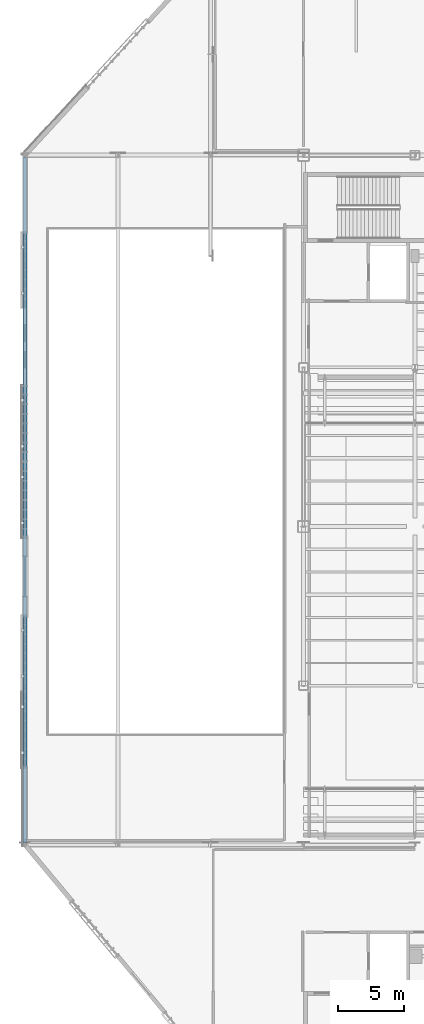
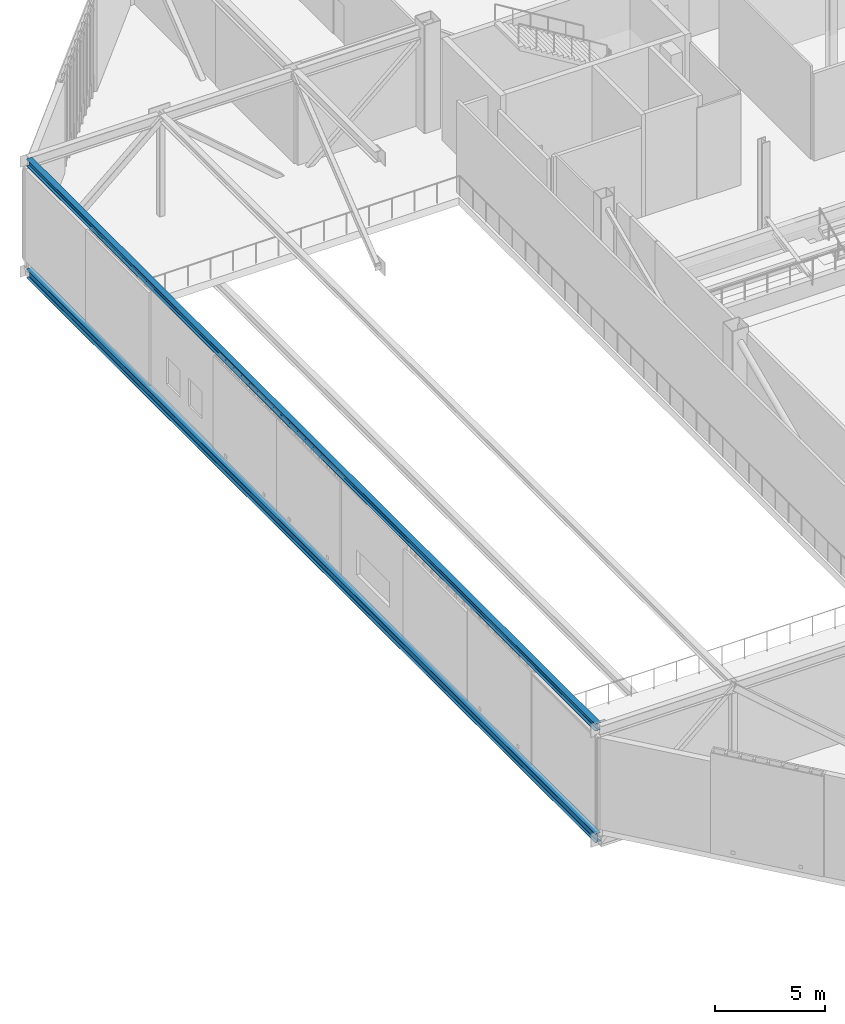
# One storey, part 14 of 135: 2 beams.
"""IFC4 building model written with IfcOpenShell, lengths in metres."""

from ifc_helpers import new_model, si_unit, direction, frame, origin, origin_2d, place, context, subcontext, project, spatial, i_section, extrude, material, material_profile, profile_set, type_object, element, save


model = new_model("IFC4")

# Units and contexts
model_context = context("Model", 3, precision=1e-05, world=origin(), true_north=direction((0.0, 1.0)))
body_context = subcontext(model_context, "Body", "Model", "MODEL_VIEW")
ifc_project = project(units=[si_unit("LENGTHUNIT", "METRE"), si_unit("AREAUNIT", "SQUARE_METRE"), si_unit("VOLUMEUNIT", "CUBIC_METRE"), si_unit("PLANEANGLEUNIT", "RADIAN"), si_unit("MASSUNIT", "GRAM", prefix="KILO")], contexts=[model_context])

# Site, building, storey
site_placement = place(None, origin())
site = spatial("IfcSite", under=ifc_project, at=site_placement, CompositionType="ELEMENT")
building_placement = place(site_placement, origin())
building = spatial("IfcBuilding", under=site, at=building_placement, Name="Larkvane Passage Sports Hall", CompositionType="ELEMENT")
storey_placement = place(building_placement, frame((0.0, 0.0, 10.800048828125)))
storey = spatial("IfcBuildingStorey", under=building, at=storey_placement, Name="L02", CompositionType="ELEMENT", Elevation=10.800048828125)

# Beams
ifc_material = material(Name="Steel S355JR", Category="steel")
ifc_material_profile_1 = material_profile(ifc_material, i_section(OverallWidth=0.300048828125, OverallDepth=0.389892578125, WebThickness=0.010009765625, FlangeThickness=0.01611328125, FilletRadius=0.01806640625, at=origin_2d()), Name="H-390x300x10x16")
ifc_profile_set_1 = profile_set([ifc_material_profile_1], Name="Steel S355JR")
beam_type_1 = type_object("IfcBeamType", Name="BM-STL-H390", PredefinedType="BEAM", material=ifc_profile_set_1)
beam_1_placement = place(storey_placement, frame((13.800048828125, 39.75, 5.48486328125), z_axis=(0.0, 1.0, 0.0), x_axis=(-1.0, 0.0, 0.0)))
element("IfcBeam", 1, at=beam_1_placement, inside=storey, type_object=beam_type_1, Name="Cantilever transverse top beam CT-W2A--1", PredefinedType="BEAM", context=body_context, shape_type="SweptSolid", body=[
    extrude(i_section(OverallWidth=0.300048828125, OverallDepth=0.389892578125, WebThickness=0.010009765625, FlangeThickness=0.01611328125, FilletRadius=0.01806640625, at=origin_2d()), origin(), (0.0, 0.0, 1.0), 51.699951171875),
])
ifc_material_profile_2 = material_profile(ifc_material, i_section(OverallWidth=0.300048828125, OverallDepth=0.488037109375, WebThickness=0.010986328125, FlangeThickness=0.01806640625, FilletRadius=0.02197265625, at=origin_2d()), Name="H-488x300x11x18")
ifc_profile_set_2 = profile_set([ifc_material_profile_2], Name="Steel S355JR")
beam_type_2 = type_object("IfcBeamType", Name="BM-STL-H488", PredefinedType="BEAM", material=ifc_profile_set_2)
beam_2_placement = place(storey_placement, frame((13.800048828125, 39.75, -0.6640625), z_axis=(0.0, 1.0, 0.0), x_axis=(-1.0, 0.0, 0.0)))
element("IfcBeam", 2, at=beam_2_placement, inside=storey, type_object=beam_type_2, Name="Cantilever transverse flr beam CT-W2A--1", PredefinedType="BEAM", context=body_context, shape_type="SweptSolid", body=[
    extrude(i_section(OverallWidth=0.300048828125, OverallDepth=0.488037109375, WebThickness=0.010986328125, FlangeThickness=0.01806640625, FilletRadius=0.02197265625, at=origin_2d()), origin(), (0.0, 0.0, 1.0), 51.699951171875),
])

save(model, "model.ifc")
